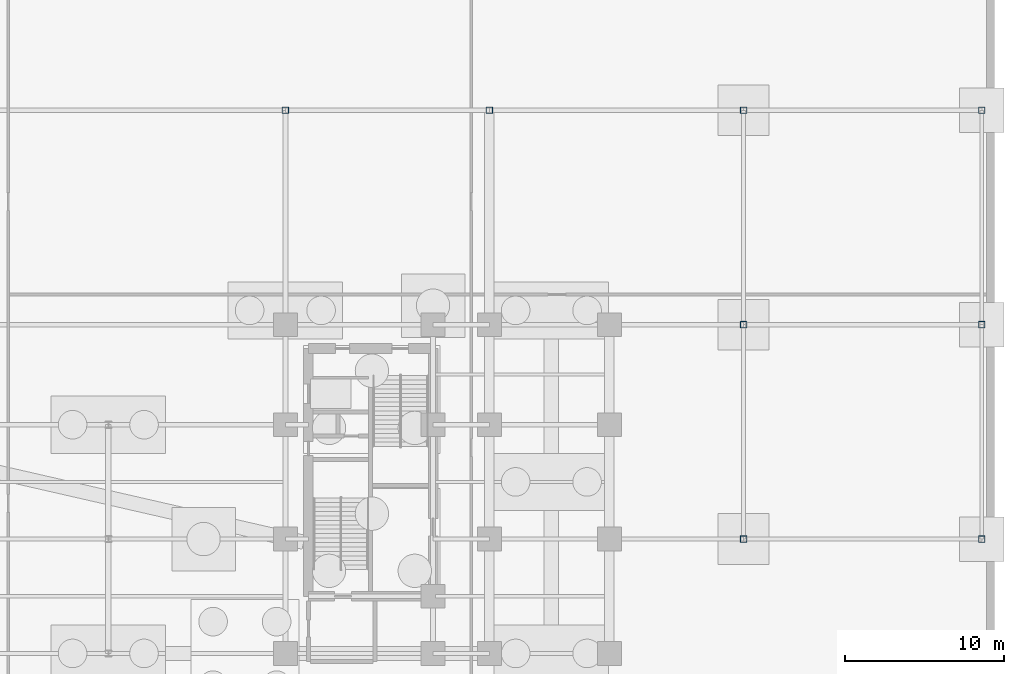
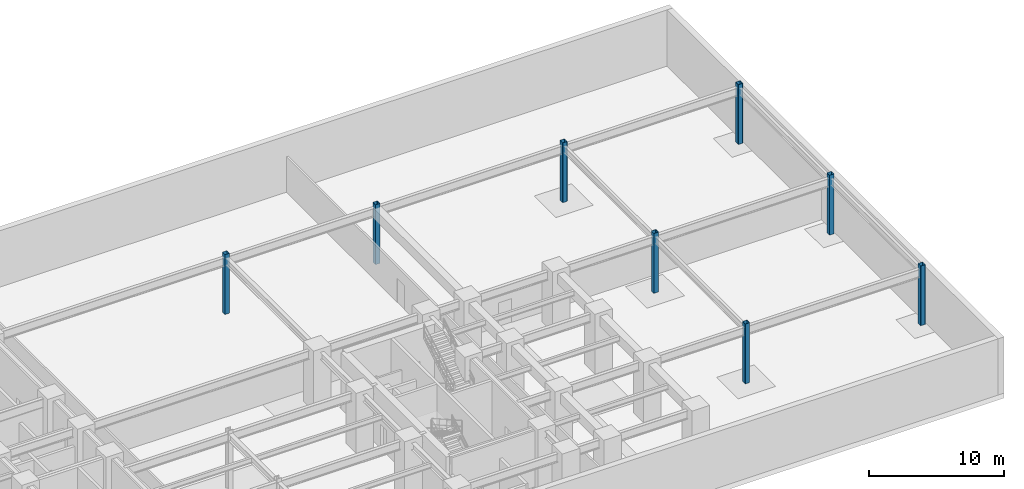
# One storey, part 3 of 11: 8 columns.
"""IFC4 building model written with IfcOpenShell, lengths in metres."""

from ifc_helpers import new_model, entity, si_unit, converted_unit, direction, frame, origin_with_axes, origin_2d_with_axis, place, context, subcontext, project, spatial, hollow_rectangle, extrude, material, material_profile, profile_set, type_object, element, save


model = new_model("IFC4")

# Units and contexts
model_context = context("Model", 3, precision=1e-05, world=origin_with_axes(), true_north=direction((0.0, 1.0)))
body_context = subcontext(model_context, "Body", "Model", "MODEL_VIEW")
ifc_project = project(units=[si_unit("LENGTHUNIT", "METRE"), si_unit("AREAUNIT", "SQUARE_METRE"), si_unit("VOLUMEUNIT", "CUBIC_METRE"), converted_unit("PLANEANGLEUNIT", "DEGREE", entity("IfcPlaneAngleMeasure", 0.017453292519943295), si_unit("PLANEANGLEUNIT", "RADIAN"), dimensions=[0, 0, 0, 0, 0, 0, 0]), si_unit("MASSUNIT", "GRAM", prefix="KILO"), si_unit("THERMODYNAMICTEMPERATUREUNIT", "KELVIN")], contexts=[model_context])

# Site, building, storey
site_placement = place(None, origin_with_axes())
site = spatial("IfcSite", under=ifc_project, at=site_placement, CompositionType="ELEMENT")
building_placement = place(site_placement, origin_with_axes())
building = spatial("IfcBuilding", under=site, at=building_placement, Name="Varnlund Millrace Tower", CompositionType="ELEMENT")
storey_placement = place(building_placement, frame((0.0, 0.0, -10.2), z_axis=(0.0, 0.0, 1.0), x_axis=(1.0, 0.0, 0.0)))
storey = spatial("IfcBuildingStorey", under=building, at=storey_placement, Name="B2", CompositionType="ELEMENT", Elevation=-10.2)

# Columns
ifc_material = material(Name="Steel ASTM A500 Grade C", Category="steel")
ifc_material_profile = material_profile(ifc_material, hollow_rectangle(XDim=0.406, YDim=0.406, WallThickness=0.0147, InnerFilletRadius=0.015, OuterFilletRadius=0.03, at=origin_2d_with_axis()), Name="Steel ASTM A500 Grade C")
ifc_profile_set = profile_set([ifc_material_profile], Name="Steel ASTM A500 Grade C")
column_type = type_object("IfcColumnType", Name="Type-Col-Int-HSS16", PredefinedType="COLUMN", material=ifc_profile_set)
for number, where, z_axis, x_axis, name in (
    (1, (67.6, 10.8, 0.0), (0.0, 0.0, 1.0), (1.0, 0.0, 0.0), "Type-Col-Int-HSS16"),
    (2, (67.6, 24.3, 0.0), (0.0, 0.0, 1.0), (1.0, 0.0, 0.0), "Type-Col-Int-HSS16"),
    (3, (67.6, 37.8, 0.0), (0.0, 0.0, 1.0), (1.0, 0.0, 0.0), "Type-Col-Int-HSS16"),
    (4, (38.75, 37.8, 0.0), (0.0, 0.0, 1.0), (1.0, 0.0, 0.0), "Type-Col-Int-HSS16"),
    (5, (51.6, 37.8, 0.0), (0.0, 0.0, 1.0), (1.0, 0.0, 0.0), "Type-Col-Int-HSS16"),
    (6, (82.6, 10.8, 0.0), (0.0, 0.0, 1.0), (1.0, 0.0, 0.0), "Type-Col-Int-HSS16"),
    (7, (82.6, 24.3, 0.0), (0.0, 0.0, 1.0), (1.0, 0.0, 0.0), "Type-Col-Int-HSS16"),
    (8, (82.6, 37.8, 0.0), (0.0, 0.0, 1.0), (1.0, 0.0, 0.0), "Type-Col-Int-HSS16"),
):
    element("IfcColumn", number, at=place(storey_placement, frame(where, z_axis=z_axis, x_axis=x_axis)), inside=storey, type_object=column_type, Name=name, PredefinedType="COLUMN", context=body_context, shape_type="SweptSolid", body=[
        extrude(hollow_rectangle(XDim=0.406, YDim=0.406, WallThickness=0.0147, InnerFilletRadius=0.015, OuterFilletRadius=0.03, at=origin_2d_with_axis()), origin_with_axes(), (0.0, 0.0, 1.0), 5.4),
    ])

save(model, "model.ifc")
